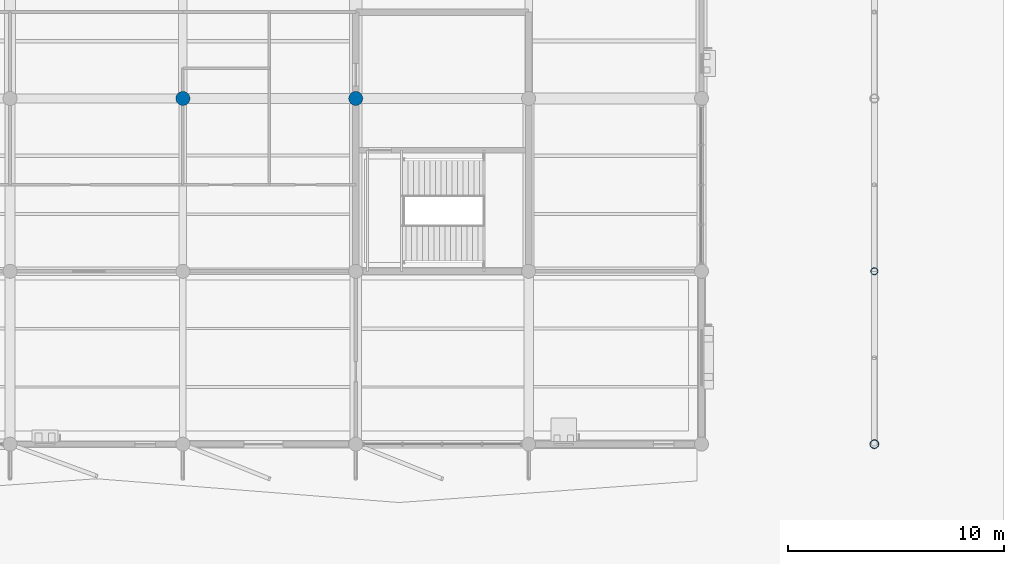
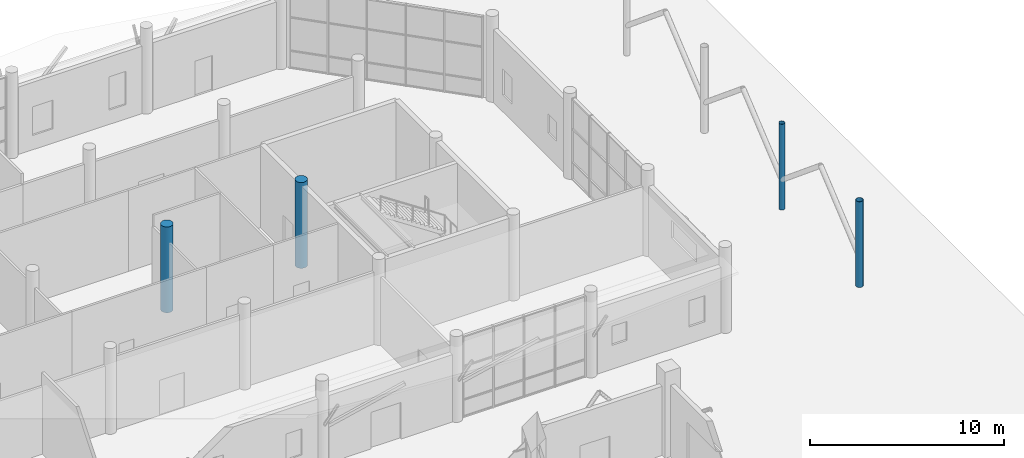
# One storey, part 18 of 123: 4 columns.
"""IFC4 building model written with IfcOpenShell, lengths in metres."""

from ifc_helpers import new_model, si_unit, direction, frame, origin, origin_2d, place, context, subcontext, project, spatial, circle, hollow_circle, extrude, material, material_profile, profile_set, type_object, element, save


model = new_model("IFC4")

# Units and contexts
model_context = context("Model", 3, precision=1e-05, world=origin(), true_north=direction((0.0, 1.0)))
body_context = subcontext(model_context, "Body", "Model", "MODEL_VIEW")
ifc_project = project(units=[si_unit("LENGTHUNIT", "METRE"), si_unit("AREAUNIT", "SQUARE_METRE"), si_unit("VOLUMEUNIT", "CUBIC_METRE"), si_unit("PLANEANGLEUNIT", "RADIAN"), si_unit("MASSUNIT", "GRAM", prefix="KILO")], contexts=[model_context])

# Site, building, storey
site_placement = place(None, origin())
site = spatial("IfcSite", under=ifc_project, at=site_placement, CompositionType="ELEMENT")
building_placement = place(site_placement, origin())
building = spatial("IfcBuilding", under=site, at=building_placement, Name="Tenunan Teduh Sports Hall", CompositionType="ELEMENT")
storey_placement = place(building_placement, origin())
storey = spatial("IfcBuildingStorey", under=building, at=storey_placement, Name="L00", CompositionType="ELEMENT", Elevation=0.0)

# Columns
ifc_material_1 = material(Name="Concrete C40/50", Category="concrete")
ifc_material_profile_1 = material_profile(ifc_material_1, circle(Radius=0.324951171875, at=origin_2d()), Name="RCC D650")
ifc_profile_set_1 = profile_set([ifc_material_profile_1], Name="Concrete C40/50")
column_type_1 = type_object("IfcColumnType", Name="COL-RCC-650", PredefinedType="COLUMN", material=ifc_profile_set_1)
for number, where, z_axis, x_axis, name in (
    (1, (138.0, 102.0, 0.0), (0.0, 0.0, 1.0), (1.0, 0.0, 0.0), "COL-C-21-L00-183"),
    (2, (146.0, 102.0, 0.0), (0.0, 0.0, 1.0), (1.0, 0.0, 0.0), "COL-C-21-L00-196"),
):
    element("IfcColumn", number, at=place(storey_placement, frame(where, z_axis=z_axis, x_axis=x_axis)), inside=storey, type_object=column_type_1, Name=name, PredefinedType="COLUMN", context=body_context, shape_type="SweptSolid", body=[
        extrude(circle(Radius=0.324951171875, at=origin_2d()), origin(), (0.0, 0.0, 1.0), 5.39990234375),
    ])
ifc_material_2 = material(Name="Steel S355", Category="steel")
ifc_material_profile_2 = material_profile(ifc_material_2, hollow_circle(Radius=0.161865234375, WallThickness=0.012451171875, at=origin_2d()), Name="CHS 323.9x12.5")
ifc_profile_set_2 = profile_set([ifc_material_profile_2], Name="Steel S355")
column_type_2 = type_object("IfcColumnType", Name="COL-ST-CHS324", PredefinedType="COLUMN", material=ifc_profile_set_2)
column_1_placement = place(storey_placement, frame((170.0, 94.0, 0.0), z_axis=(0.0, 0.0, 1.0), x_axis=(1.0, 0.0, 0.0)))
element("IfcColumn", 3, at=column_1_placement, inside=storey, type_object=column_type_2, Name="COL-SC-06-L00-227", PredefinedType="COLUMN", context=body_context, shape_type="SweptSolid", body=[
    extrude(hollow_circle(Radius=0.161865234375, WallThickness=0.012451171875, at=origin_2d()), origin(), (0.0, 0.0, 1.0), 5.39990234375),
])
ifc_material_3 = material(Name="Steel S355", Category="steel")
ifc_material_profile_3 = material_profile(ifc_material_3, hollow_circle(Radius=0.203125, WallThickness=0.01611328125, at=origin_2d()), Name="CHS 406.4x16.0")
ifc_profile_set_3 = profile_set([ifc_material_profile_3], Name="Steel S355")
column_type_3 = type_object("IfcColumnType", Name="COL-ST-CHS406", PredefinedType="COLUMN", material=ifc_profile_set_3)
column_2_placement = place(storey_placement, frame((170.0, 86.0, 0.0), z_axis=(0.0, 0.0, 1.0), x_axis=(1.0, 0.0, 0.0)))
element("IfcColumn", 4, at=column_2_placement, inside=storey, type_object=column_type_3, Name="COL-SC-05-L00-226", PredefinedType="COLUMN", context=body_context, shape_type="SweptSolid", body=[
    extrude(hollow_circle(Radius=0.203125, WallThickness=0.01611328125, at=origin_2d()), origin(), (0.0, 0.0, 1.0), 5.39990234375),
])

save(model, "model.ifc")
